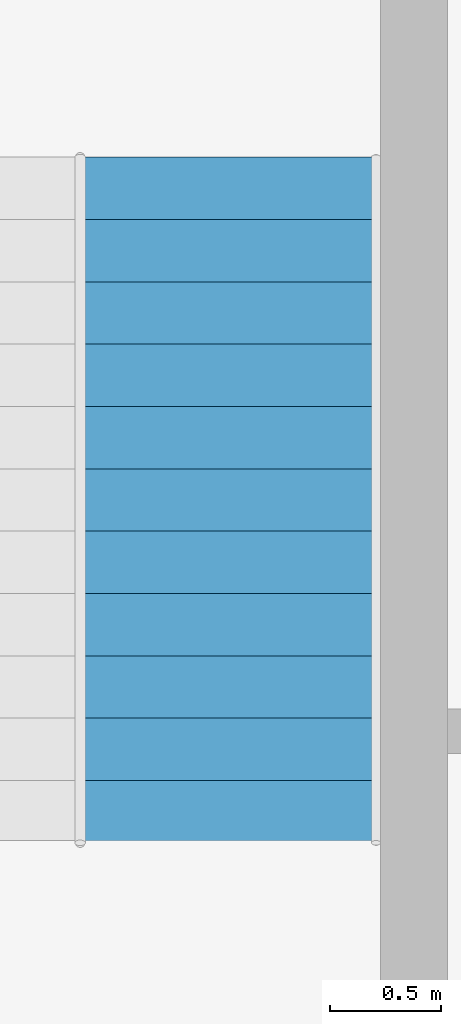
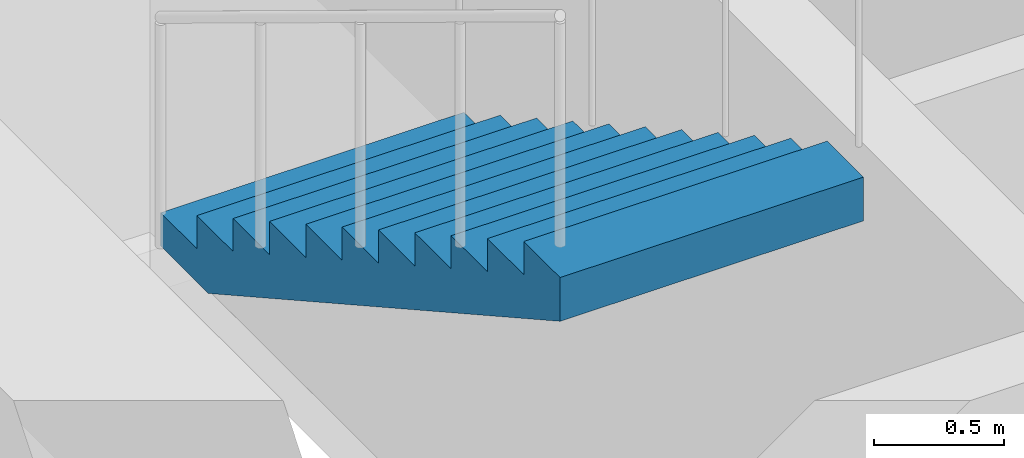
# One storey, part 15 of 16: 1 stair flight, 1 element without a shape of its own.
"""IFC4 building model written with IfcOpenShell, lengths in metres."""

import ifcopenshell
import ifcopenshell.guid

model = None  # the IFC model being written
_history = None  # IfcOwnerHistory: only IFC2X3 demands one
_inside = {}  # id of a spatial element -> (the spatial element, [elements in it])
_under = {}  # id of a project, library or spatial element -> (it, [spatial elements below it])
_declared = {}  # id of a project -> (the project, [libraries it declares])
_typed = {}  # id of a type object -> (the type object, [elements of that type])
_made_of = {}  # id of a material, layer set ... -> (it, [elements and type objects made of it])


def new_model(schema):
    """Start an empty IFC model of exactly this schema.

    Asked for "IFC4X3", IfcOpenShell would pick the latest addendum, in which some entities
    have other attributes; the version numbers below select the first issue.
    IFC2X3 requires an IfcOwnerHistory on every rooted entity: one is made here for all.
    """
    global model, _history
    if schema == "IFC4X3":
        model = ifcopenshell.file(schema_version=(4, 3, 0, 0))
    else:
        model = ifcopenshell.file(schema=schema)
    _inside.clear()
    _under.clear()
    _declared.clear()
    _typed.clear()
    _made_of.clear()
    _history = None
    if model.schema == "IFC2X3":
        org = make("IfcOrganization", Name="unknown")
        user = make(
            "IfcPersonAndOrganization",
            ThePerson=make("IfcPerson", FamilyName="unknown"),
            TheOrganization=org,
        )
        app = make(
            "IfcApplication",
            ApplicationDeveloper=org,
            Version="unknown",
            ApplicationFullName="unknown",
            ApplicationIdentifier="unknown",
        )
        _history = make(
            "IfcOwnerHistory",
            OwningUser=user,
            OwningApplication=app,
            ChangeAction="ADDED",
            CreationDate=0,
        )
    return model


def make(cls, **values):
    """One entity of the class cls with the attributes given. An attribute that is None is left unset."""
    return model.create_entity(
        cls, **{name: value for name, value in values.items() if value is not None}
    )


def rooted(cls, **values):
    """An entity with a GlobalId (a new one), such as an element, a storey or a relation."""
    return make(cls, GlobalId=ifcopenshell.guid.new(), OwnerHistory=_history, **values)


def si_unit(unit_type, name, prefix=None):
    """IfcSIUnit, for example si_unit("LENGTHUNIT", "METRE", prefix="MILLI")."""
    return make("IfcSIUnit", UnitType=unit_type, Prefix=prefix, Name=name)


def assignment(units):
    """IfcUnitAssignment: the units of a project."""
    return None if units is None else make("IfcUnitAssignment", Units=units)


def point(xyz):
    """IfcCartesianPoint."""
    return None if xyz is None else make("IfcCartesianPoint", Coordinates=xyz)


def direction(xyz):
    """IfcDirection."""
    return None if xyz is None else make("IfcDirection", DirectionRatios=xyz)


def frame(location, z_axis=None, x_axis=None):
    """IfcAxis2Placement3D, a coordinate frame: its origin and axes. An axis left out is left unset."""
    return make(
        "IfcAxis2Placement3D",
        Location=point(location),
        Axis=direction(z_axis),
        RefDirection=direction(x_axis),
    )


def origin():
    """The frame at (0, 0, 0) with its axes left unset."""
    return frame((0.0, 0.0, 0.0))


def place(relative_to, where):
    """IfcLocalPlacement: puts the frame where relative to a parent placement (None: the world)."""
    return make(
        "IfcLocalPlacement", PlacementRelTo=relative_to, RelativePlacement=where
    )


def context(
    kind, dimensions, precision=None, world=None, true_north=None, identifier=None
):
    """IfcGeometricRepresentationContext, for example the 3D "Model" context."""
    return make(
        "IfcGeometricRepresentationContext",
        ContextIdentifier=identifier,
        ContextType=kind,
        CoordinateSpaceDimension=dimensions,
        Precision=precision,
        WorldCoordinateSystem=world,
        TrueNorth=true_north,
    )


def subcontext(parent, identifier, kind, view, scale=None):
    """IfcGeometricRepresentationSubContext, for example "Body" below "Model"."""
    return make(
        "IfcGeometricRepresentationSubContext",
        ContextIdentifier=identifier,
        ContextType=kind,
        ParentContext=parent,
        TargetScale=scale,
        TargetView=view,
    )


def project(units=None, contexts=None):
    """IfcProject with its units and contexts."""
    return rooted(
        "IfcProject",
        Name="project",
        RepresentationContexts=contexts,
        UnitsInContext=assignment(units),
    )


def spatial(cls, under=None, at=None, **own):
    """A site, building, storey or space (cls), placed at a placement, below another one or the project."""
    s = rooted(cls, ObjectPlacement=at, **own)
    if under is not None:
        _under.setdefault(under.id(), (under, []))[1].append(s)
    return s


def polyline(points):
    """IfcPolyline through the points."""
    return make("IfcPolyline", Points=[point(p) for p in points])


def outline(outer, holes=None, kind="AREA"):
    """IfcArbitraryClosedProfileDef: a profile drawn as a closed curve; with holes, ...WithVoids."""
    if holes is None:
        return make("IfcArbitraryClosedProfileDef", ProfileType=kind, OuterCurve=outer)
    return make(
        "IfcArbitraryProfileDefWithVoids",
        ProfileType=kind,
        OuterCurve=outer,
        InnerCurves=holes,
    )


def extrude(swept, where, along, depth):
    """IfcExtrudedAreaSolid: the profile swept, set in the frame where, extruded along a direction by depth."""
    return make(
        "IfcExtrudedAreaSolid",
        SweptArea=swept,
        Position=where,
        ExtrudedDirection=direction(along),
        Depth=depth,
    )


def shape(context_of_items, identifier, shape_type, items):
    """IfcShapeRepresentation: the items that make up one representation, for example the "Body"."""
    return make(
        "IfcShapeRepresentation",
        ContextOfItems=context_of_items,
        RepresentationIdentifier=identifier,
        RepresentationType=shape_type,
        Items=items,
    )


def material(Name=None, Category=None):
    """IfcMaterial."""
    return make("IfcMaterial", Name=Name, Category=Category)


def made_of(thing, what):
    """Note that an element or type object is made of a material, layer set ...; save() writes the relation."""
    if what is not None:
        _made_of.setdefault(what.id(), (what, []))[1].append(thing)
    return thing


def type_object(cls, material=None, **own):
    """A type object (cls), such as IfcWallType, which elements share."""
    return made_of(rooted(cls, **own), material)


def element(
    cls,
    number,
    at=None,
    inside=None,
    cuts=None,
    type_object=None,
    material=None,
    context=None,
    identifier="Body",
    shape_type=None,
    held_by="IfcProductDefinitionShape",
    body=None,
    shapes=None,
    **own,
):
    """One element of the class cls, such as IfcWall. Its Tag is "e" and its number.

    at: its placement. inside: the storey or other place that contains it. cuts: it is an
    opening in that element (IfcRelVoidsElement). A single representation is given by context,
    identifier, shape_type and body (its items); several are given by shapes. held_by: the class
    of the entity that holds the representations. save() writes the other relations.
    """
    e = rooted(cls, Tag="e%d" % number, ObjectPlacement=at, **own)
    if body is not None:
        shapes = [shape(context, identifier, shape_type, body)]
    if shapes is not None:
        e.Representation = make(held_by, Representations=shapes)
    if inside is not None:
        _inside.setdefault(inside.id(), (inside, []))[1].append(e)
    if cuts is not None:
        rooted(
            "IfcRelVoidsElement", RelatingBuildingElement=cuts, RelatedOpeningElement=e
        )
    if type_object is not None:
        _typed.setdefault(type_object.id(), (type_object, []))[1].append(e)
    return made_of(e, material)


def aggregate(whole, parts):
    """IfcRelAggregates: a whole, such as a stair, and the parts it consists of."""
    return rooted("IfcRelAggregates", RelatingObject=whole, RelatedObjects=parts)


def save(model, path):
    """Write the relations noted so far, then the file.

    IfcRelAggregates (storeys below a building ...), IfcRelContainedInSpatialStructure (elements
    in a storey), IfcRelDefinesByType, IfcRelAssociatesMaterial and IfcRelDeclares: one each for
    every whole, place, type object, material and project.
    """
    for whole, parts in _under.values():
        aggregate(whole, parts)
    for where, things in _inside.values():
        rooted(
            "IfcRelContainedInSpatialStructure",
            RelatedElements=things,
            RelatingStructure=where,
        )
    for kind, things in _typed.values():
        rooted("IfcRelDefinesByType", RelatedObjects=things, RelatingType=kind)
    for what, things in _made_of.values():
        rooted("IfcRelAssociatesMaterial", RelatedObjects=things, RelatingMaterial=what)
    for by, libraries in _declared.values():
        rooted("IfcRelDeclares", RelatingContext=by, RelatedDefinitions=libraries)
    model.write(path)


model = new_model("IFC4")

# Units and contexts
model_context = context("Model", 3, precision=1e-05, world=origin(), true_north=direction((0.0, 1.0)))
body_context = subcontext(model_context, "Body", "Model", "MODEL_VIEW")
ifc_project = project(units=[si_unit("LENGTHUNIT", "METRE"), si_unit("AREAUNIT", "SQUARE_METRE"), si_unit("VOLUMEUNIT", "CUBIC_METRE"), si_unit("PLANEANGLEUNIT", "RADIAN"), si_unit("MASSUNIT", "GRAM", prefix="KILO")], contexts=[model_context])

# Site, building, storey
site_placement = place(None, origin())
site = spatial("IfcSite", under=ifc_project, at=site_placement, CompositionType="ELEMENT")
building_placement = place(site_placement, origin())
building = spatial("IfcBuilding", under=site, at=building_placement, Name="Impinga Residences", CompositionType="ELEMENT")
storey_placement = place(building_placement, frame((0.0, 0.0, 74.75)))
storey = spatial("IfcBuildingStorey", under=building, at=storey_placement, Name="L18", CompositionType="ELEMENT", Elevation=74.75)

# Stair, stair flight
ifc_material = material(Name="Concrete C40/50", Category="concrete")
stair_type = type_object("IfcStairType", Name="STR wing stair 3750 storey, 24 risers", PredefinedType="HALF_TURN_STAIR", material=ifc_material)
stair_placement = place(storey_placement, origin())
stair = element("IfcStair", 1, at=stair_placement, inside=storey, type_object=stair_type, Name="Stair WS1 L18", PredefinedType="HALF_TURN_STAIR")
stair_flight_type = type_object("IfcStairFlightType", Name="SF 12 risers of 156", PredefinedType="STRAIGHT", material=ifc_material)
stair_flight_placement = place(storey_placement, frame((3.77490234375, 25.21142578125, 1.875), z_axis=(0.0, 0.0, 1.0), x_axis=(0.0, -1.0, 0.0)))
stair_flight = element("IfcStairFlight", 2, at=stair_flight_placement, type_object=stair_flight_type, Name="WS1 flight 2", NumberOfRisers=12, NumberOfTreads=11, PredefinedType="STRAIGHT", RiserHeight=0.15625, TreadLength=0.28, context=body_context, shape_type="SweptSolid", body=[
    extrude(outline(polyline([(0.0, 0.0), (0.0, 0.15625), (0.280029296875, 0.15625), (0.280029296875, 0.3125), (0.56005859375, 0.3125), (0.56005859375, 0.46875), (0.840087890625, 0.46875), (0.840087890625, 0.625), (1.1201171875, 0.625), (1.1201171875, 0.78125), (1.39990234375, 0.78125), (1.39990234375, 0.9375), (1.679931640625, 0.9375), (1.679931640625, 1.09375), (1.9599609375, 1.09375), (1.9599609375, 1.25), (2.239990234375, 1.25), (2.239990234375, 1.40625), (2.52001953125, 1.40625), (2.52001953125, 1.5625), (2.800048828125, 1.5625), (2.800048828125, 1.71875), (3.080078125, 1.71875), (3.080078125, 1.875), (3.080078125, 1.5126953125), (0.369140625, 0.0), (0.0, 0.0)])), frame((0.0, 0.675048828125, 0.0), z_axis=(0.0, -1.0, 0.0), x_axis=(1.0, 0.0, 0.0)), (0.0, 0.0, 1.0), 1.35009765625),
])
aggregate(stair, [stair_flight])

save(model, "model.ifc")
